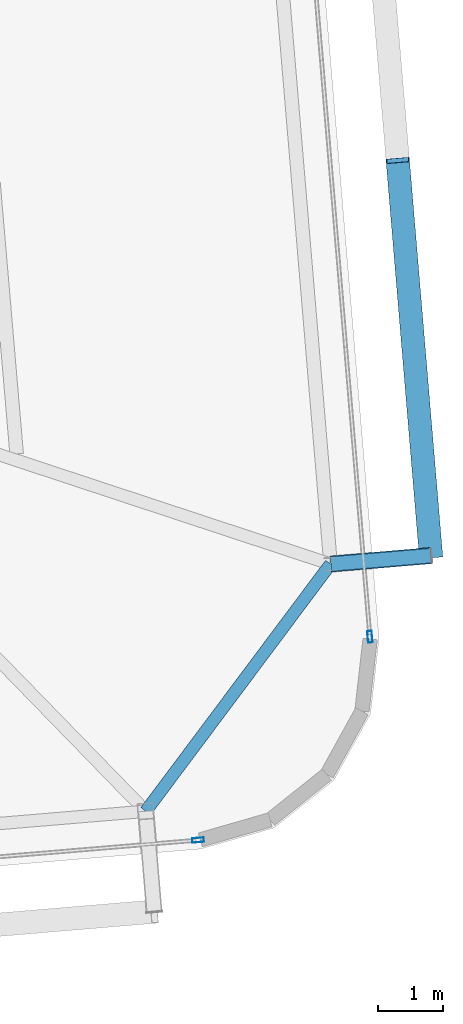
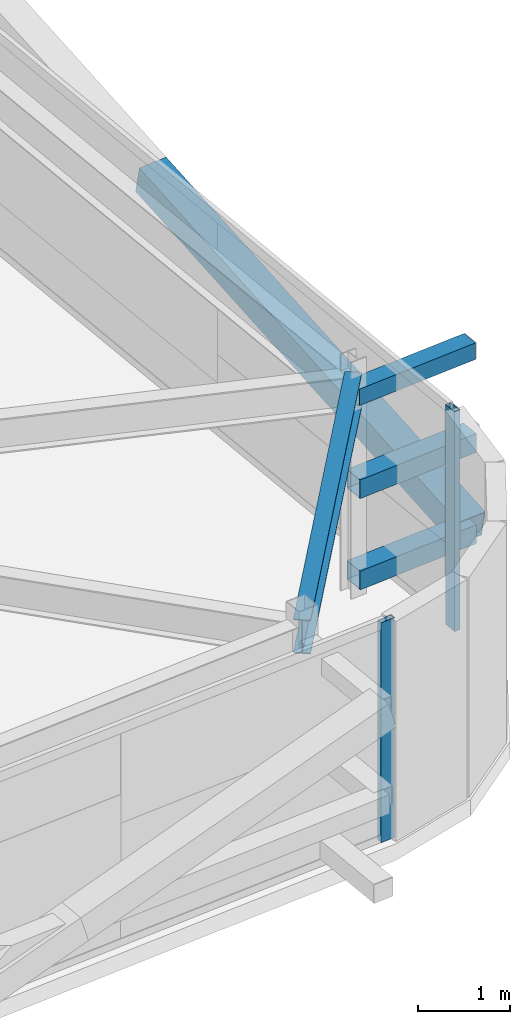
# One storey, part 18 of 39: 6 members, 1 beam, 2 elements without a shape of their own.
"""IFC4 building model written with IfcOpenShell, lengths in metres."""

import ifcopenshell
import ifcopenshell.guid

model = None  # the IFC model being written
_history = None  # IfcOwnerHistory: only IFC2X3 demands one
_inside = {}  # id of a spatial element -> (the spatial element, [elements in it])
_under = {}  # id of a project, library or spatial element -> (it, [spatial elements below it])
_declared = {}  # id of a project -> (the project, [libraries it declares])
_typed = {}  # id of a type object -> (the type object, [elements of that type])
_made_of = {}  # id of a material, layer set ... -> (it, [elements and type objects made of it])


def new_model(schema):
    """Start an empty IFC model of exactly this schema.

    Asked for "IFC4X3", IfcOpenShell would pick the latest addendum, in which some entities
    have other attributes; the version numbers below select the first issue.
    IFC2X3 requires an IfcOwnerHistory on every rooted entity: one is made here for all.
    """
    global model, _history
    if schema == "IFC4X3":
        model = ifcopenshell.file(schema_version=(4, 3, 0, 0))
    else:
        model = ifcopenshell.file(schema=schema)
    _inside.clear()
    _under.clear()
    _declared.clear()
    _typed.clear()
    _made_of.clear()
    _history = None
    if model.schema == "IFC2X3":
        org = make("IfcOrganization", Name="unknown")
        user = make(
            "IfcPersonAndOrganization",
            ThePerson=make("IfcPerson", FamilyName="unknown"),
            TheOrganization=org,
        )
        app = make(
            "IfcApplication",
            ApplicationDeveloper=org,
            Version="unknown",
            ApplicationFullName="unknown",
            ApplicationIdentifier="unknown",
        )
        _history = make(
            "IfcOwnerHistory",
            OwningUser=user,
            OwningApplication=app,
            ChangeAction="ADDED",
            CreationDate=0,
        )
    return model


def make(cls, **values):
    """One entity of the class cls with the attributes given. An attribute that is None is left unset."""
    return model.create_entity(
        cls, **{name: value for name, value in values.items() if value is not None}
    )


def rooted(cls, **values):
    """An entity with a GlobalId (a new one), such as an element, a storey or a relation."""
    return make(cls, GlobalId=ifcopenshell.guid.new(), OwnerHistory=_history, **values)


def si_unit(unit_type, name, prefix=None):
    """IfcSIUnit, for example si_unit("LENGTHUNIT", "METRE", prefix="MILLI")."""
    return make("IfcSIUnit", UnitType=unit_type, Prefix=prefix, Name=name)


def assignment(units):
    """IfcUnitAssignment: the units of a project."""
    return None if units is None else make("IfcUnitAssignment", Units=units)


def point(xyz):
    """IfcCartesianPoint."""
    return None if xyz is None else make("IfcCartesianPoint", Coordinates=xyz)


def direction(xyz):
    """IfcDirection."""
    return None if xyz is None else make("IfcDirection", DirectionRatios=xyz)


def frame(location, z_axis=None, x_axis=None):
    """IfcAxis2Placement3D, a coordinate frame: its origin and axes. An axis left out is left unset."""
    return make(
        "IfcAxis2Placement3D",
        Location=point(location),
        Axis=direction(z_axis),
        RefDirection=direction(x_axis),
    )


def frame_2d(location, x_axis=None):
    """IfcAxis2Placement2D, a coordinate frame in the plane: its origin and x axis."""
    return make(
        "IfcAxis2Placement2D", Location=point(location), RefDirection=direction(x_axis)
    )


def origin():
    """The frame at (0, 0, 0) with its axes left unset."""
    return frame((0.0, 0.0, 0.0))


def origin_2d():
    """The frame at (0, 0) in the plane with its x axis left unset."""
    return frame_2d((0.0, 0.0))


def place(relative_to, where):
    """IfcLocalPlacement: puts the frame where relative to a parent placement (None: the world)."""
    return make(
        "IfcLocalPlacement", PlacementRelTo=relative_to, RelativePlacement=where
    )


def context(
    kind, dimensions, precision=None, world=None, true_north=None, identifier=None
):
    """IfcGeometricRepresentationContext, for example the 3D "Model" context."""
    return make(
        "IfcGeometricRepresentationContext",
        ContextIdentifier=identifier,
        ContextType=kind,
        CoordinateSpaceDimension=dimensions,
        Precision=precision,
        WorldCoordinateSystem=world,
        TrueNorth=true_north,
    )


def subcontext(parent, identifier, kind, view, scale=None):
    """IfcGeometricRepresentationSubContext, for example "Body" below "Model"."""
    return make(
        "IfcGeometricRepresentationSubContext",
        ContextIdentifier=identifier,
        ContextType=kind,
        ParentContext=parent,
        TargetScale=scale,
        TargetView=view,
    )


def project(units=None, contexts=None):
    """IfcProject with its units and contexts."""
    return rooted(
        "IfcProject",
        Name="project",
        RepresentationContexts=contexts,
        UnitsInContext=assignment(units),
    )


def spatial(cls, under=None, at=None, **own):
    """A site, building, storey or space (cls), placed at a placement, below another one or the project."""
    s = rooted(cls, ObjectPlacement=at, **own)
    if under is not None:
        _under.setdefault(under.id(), (under, []))[1].append(s)
    return s


def profile(cls, at=None, kind="AREA", **sizes):
    """A parametric profile (cls). Its sizes go by their IFC names, for example OverallWidth=200.0."""
    return make(cls, ProfileType=kind, Position=at, **sizes)


def hollow_rectangle(**sizes):
    """IfcRectangleHollowProfileDef."""
    return profile("IfcRectangleHollowProfileDef", **sizes)


def i_section(**sizes):
    """IfcIShapeProfileDef."""
    return profile("IfcIShapeProfileDef", **sizes)


def extrude(swept, where, along, depth):
    """IfcExtrudedAreaSolid: the profile swept, set in the frame where, extruded along a direction by depth."""
    return make(
        "IfcExtrudedAreaSolid",
        SweptArea=swept,
        Position=where,
        ExtrudedDirection=direction(along),
        Depth=depth,
    )


def shape(context_of_items, identifier, shape_type, items):
    """IfcShapeRepresentation: the items that make up one representation, for example the "Body"."""
    return make(
        "IfcShapeRepresentation",
        ContextOfItems=context_of_items,
        RepresentationIdentifier=identifier,
        RepresentationType=shape_type,
        Items=items,
    )


def source(mapping_origin, context_of_items, identifier, shape_type, items):
    """IfcRepresentationMap: a shape defined once, which mapped items show again and again."""
    return make(
        "IfcRepresentationMap",
        MappingOrigin=mapping_origin,
        MappedRepresentation=shape(context_of_items, identifier, shape_type, items),
    )


def transform(
    local_origin,
    x_axis=None,
    y_axis=None,
    z_axis=None,
    scale=None,
    scale2=None,
    scale3=None,
    uniform=True,
):
    """IfcCartesianTransformationOperator3D, or its non-uniform kind. x_axis, y_axis, z_axis: its Axis1, 2, 3."""
    if uniform:
        return make(
            "IfcCartesianTransformationOperator3D",
            Axis1=direction(x_axis),
            Axis2=direction(y_axis),
            LocalOrigin=point(local_origin),
            Scale=scale,
            Axis3=direction(z_axis),
        )
    return make(
        "IfcCartesianTransformationOperator3DnonUniform",
        Axis1=direction(x_axis),
        Axis2=direction(y_axis),
        LocalOrigin=point(local_origin),
        Scale=scale,
        Axis3=direction(z_axis),
        Scale2=scale2,
        Scale3=scale3,
    )


def mapped(mapping_source, mapping_target):
    """IfcMappedItem: shows the shape of a source again, moved by a transform."""
    return make(
        "IfcMappedItem", MappingSource=mapping_source, MappingTarget=mapping_target
    )


def material(Name=None, Category=None):
    """IfcMaterial."""
    return make("IfcMaterial", Name=Name, Category=Category)


def layer(
    of_material, thickness, ventilated=None, Name=None, Category=None, Priority=None
):
    """IfcMaterialLayer: one layer of a wall or slab, of a material (None: an air gap)."""
    return make(
        "IfcMaterialLayer",
        Material=of_material,
        LayerThickness=thickness,
        IsVentilated=ventilated,
        Name=Name,
        Category=Category,
        Priority=Priority,
    )


def layer_set(layers, Name=None):
    """IfcMaterialLayerSet."""
    return make("IfcMaterialLayerSet", MaterialLayers=layers, LayerSetName=Name)


def material_profile(
    of_material, cross_section, Name=None, Category=None, Priority=None
):
    """IfcMaterialProfile: a cross section and its material."""
    return make(
        "IfcMaterialProfile",
        Name=Name,
        Material=of_material,
        Profile=cross_section,
        Priority=Priority,
        Category=Category,
    )


def profile_set(profiles, Name=None, composite=None):
    """IfcMaterialProfileSet."""
    return make(
        "IfcMaterialProfileSet",
        Name=Name,
        MaterialProfiles=profiles,
        CompositeProfile=composite,
    )


def made_of(thing, what):
    """Note that an element or type object is made of a material, layer set ...; save() writes the relation."""
    if what is not None:
        _made_of.setdefault(what.id(), (what, []))[1].append(thing)
    return thing


def type_object(cls, material=None, **own):
    """A type object (cls), such as IfcWallType, which elements share."""
    return made_of(rooted(cls, **own), material)


def element(
    cls,
    number,
    at=None,
    inside=None,
    cuts=None,
    type_object=None,
    material=None,
    context=None,
    identifier="Body",
    shape_type=None,
    held_by="IfcProductDefinitionShape",
    body=None,
    shapes=None,
    **own,
):
    """One element of the class cls, such as IfcWall. Its Tag is "e" and its number.

    at: its placement. inside: the storey or other place that contains it. cuts: it is an
    opening in that element (IfcRelVoidsElement). A single representation is given by context,
    identifier, shape_type and body (its items); several are given by shapes. held_by: the class
    of the entity that holds the representations. save() writes the other relations.
    """
    e = rooted(cls, Tag="e%d" % number, ObjectPlacement=at, **own)
    if body is not None:
        shapes = [shape(context, identifier, shape_type, body)]
    if shapes is not None:
        e.Representation = make(held_by, Representations=shapes)
    if inside is not None:
        _inside.setdefault(inside.id(), (inside, []))[1].append(e)
    if cuts is not None:
        rooted(
            "IfcRelVoidsElement", RelatingBuildingElement=cuts, RelatedOpeningElement=e
        )
    if type_object is not None:
        _typed.setdefault(type_object.id(), (type_object, []))[1].append(e)
    return made_of(e, material)


def aggregate(whole, parts):
    """IfcRelAggregates: a whole, such as a stair, and the parts it consists of."""
    return rooted("IfcRelAggregates", RelatingObject=whole, RelatedObjects=parts)


def save(model, path):
    """Write the relations noted so far, then the file.

    IfcRelAggregates (storeys below a building ...), IfcRelContainedInSpatialStructure (elements
    in a storey), IfcRelDefinesByType, IfcRelAssociatesMaterial and IfcRelDeclares: one each for
    every whole, place, type object, material and project.
    """
    for whole, parts in _under.values():
        aggregate(whole, parts)
    for where, things in _inside.values():
        rooted(
            "IfcRelContainedInSpatialStructure",
            RelatedElements=things,
            RelatingStructure=where,
        )
    for kind, things in _typed.values():
        rooted("IfcRelDefinesByType", RelatedObjects=things, RelatingType=kind)
    for what, things in _made_of.values():
        rooted("IfcRelAssociatesMaterial", RelatedObjects=things, RelatingMaterial=what)
    for by, libraries in _declared.values():
        rooted("IfcRelDeclares", RelatingContext=by, RelatedDefinitions=libraries)
    model.write(path)


model = new_model("IFC4")

# Units and contexts
model_context = context("Model", 3, precision=1e-05, world=origin(), true_north=direction((0.0, 1.0)))
body_context = subcontext(model_context, "Body", "Model", "MODEL_VIEW")
ifc_project = project(units=[si_unit("LENGTHUNIT", "METRE"), si_unit("AREAUNIT", "SQUARE_METRE"), si_unit("VOLUMEUNIT", "CUBIC_METRE"), si_unit("PLANEANGLEUNIT", "RADIAN"), si_unit("MASSUNIT", "GRAM", prefix="KILO")], contexts=[model_context])

# Site, building, storey
site_placement = place(None, origin())
site = spatial("IfcSite", under=ifc_project, at=site_placement, CompositionType="ELEMENT")
building_placement = place(site_placement, origin())
building = spatial("IfcBuilding", under=site, at=building_placement, Name="Taldren Reach Tower", CompositionType="ELEMENT")
storey_placement = place(building_placement, frame((0.0, 0.0, 197.75)))
storey = spatial("IfcBuildingStorey", under=building, at=storey_placement, Name="L60", CompositionType="ELEMENT", Elevation=197.75)

# Beam
ifc_material_1 = material(Name="Steel Gr 350 (350PLUS)", Category="steel")
ifc_material_profile_1 = material_profile(ifc_material_1, i_section(OverallWidth=0.18994140625, OverallDepth=0.4541015625, WebThickness=0.008544921875, FlangeThickness=0.0126953125, at=origin_2d()), Name="460UB67.1")
ifc_profile_set_1 = profile_set([ifc_material_profile_1], Name="Steel Gr 350 (350PLUS)")
beam_type = type_object("IfcBeamType", Name="SP-UB460B", PredefinedType="SPANDREL", material=ifc_profile_set_1)
shared_shape_1 = source(origin(), body_context, "Body", "SweptSolid", [
    extrude(i_section(OverallWidth=0.18994140625, OverallDepth=0.4541015625, WebThickness=0.008544921875, FlangeThickness=0.0126953125, at=origin_2d()), origin(), (0.0, 0.0, 1.0), 4.746337890625),
])
beam_placement = place(storey_placement, frame((58.796142578125, 5.516357421875, 2.702880859375), z_axis=(0.598797715541, 0.800900303323, 0.0), x_axis=(-0.800900303323, 0.598797715541, 0.0)))
element("IfcBeam", 1, at=beam_placement, inside=storey, type_object=beam_type, Name="Perimeter spandrel B4 S6-E1 L60", PredefinedType="SPANDREL", context=body_context, shape_type="MappedRepresentation", body=[
    mapped(shared_shape_1, transform((0.0, 0.0, 0.0), scale=1.0)),
])

# Members
ifc_material_2 = material(Name="Steel Gr 450 (C450L0)", Category="steel")
ifc_material_profile_2 = material_profile(ifc_material_2, hollow_rectangle(XDim=0.219970703125, YDim=0.219970703125, WallThickness=0.00830078125, at=origin_2d()), Name="220x220x8.2SHS")
ifc_profile_set_2 = profile_set([ifc_material_profile_2], Name="Steel Gr 450 (C450L0)")
member_type_1 = type_object("IfcMemberType", Name="MB-TIE219", PredefinedType="STRUT", material=ifc_profile_set_2)
shared_shape_2 = source(origin(), body_context, "Body", "SweptSolid", [
    extrude(hollow_rectangle(XDim=0.219970703125, YDim=0.219970703125, WallThickness=0.00830078125, at=origin_2d()), origin(), (0.0, 0.0, 1.0), 1.545166015625),
])
member_1_placement = place(storey_placement, frame((61.642822265625, 9.31787109375, 2.64990234375), z_axis=(0.996487766615, 0.083738467783, 0.0), x_axis=(-0.083738467783, 0.996487766615, 0.0)))
element("IfcMember", 2, at=member_1_placement, inside=storey, type_object=member_type_1, Name="Exoskeleton diaphragm tie strut B4-E1 L60", PredefinedType="STRUT", context=body_context, shape_type="MappedRepresentation", body=[
    mapped(shared_shape_2, transform((0.0, 0.0, 0.0), scale=1.0)),
])
ifc_material_3 = material(Name="Steel Gr 350 (C350L0)", Category="steel")
ifc_material_profile_3 = material_profile(ifc_material_3, hollow_rectangle(XDim=0.25, YDim=0.25, WallThickness=0.010009765625, at=origin_2d()), Name="250x250x10.0SHS")
ifc_profile_set_3 = profile_set([ifc_material_profile_3], Name="Steel Gr 350 (C350L0)")
member_type_2 = type_object("IfcMemberType", Name="MB-POST250", PredefinedType="POST", material=ifc_profile_set_3)
shared_shape_3 = source(origin(), body_context, "Body", "SweptSolid", [
    extrude(hollow_rectangle(XDim=0.25, YDim=0.25, WallThickness=0.010009765625, at=origin_2d()), origin(), (0.0, 0.0, 1.0), 1.545166015625),
])
for number, where, z_axis, x_axis, name in (
    (3, (61.642822265625, 9.31787109375, 0.219970703125), (0.996487766615, 0.083738467783, 0.0), (-0.083738467783, 0.996487766615, 0.0), "Exoskeleton base diaphragm tie strut B4-E1 L60"),
    (4, (61.642822265625, 9.31787109375, 1.43505859375), (0.996487766615, 0.083738467783, 0.0), (-0.083738467783, 0.996487766615, 0.0), "Exoskeleton mid-tier diaphragm tie B4-E1 L60"),
):
    element("IfcMember", number, at=place(storey_placement, frame(where, z_axis=z_axis, x_axis=x_axis)), inside=storey, type_object=member_type_2, Name=name, PredefinedType="POST", context=body_context, shape_type="MappedRepresentation", body=[
        mapped(shared_shape_3, transform((0.0, 0.0, 0.0), scale=1.0)),
    ])
ifc_material_profile_4 = material_profile(ifc_material_2, hollow_rectangle(XDim=0.360107421875, YDim=0.360107421875, WallThickness=0.0126953125, at=origin_2d()), Name="360x360x12.7SHS")
ifc_profile_set_4 = profile_set([ifc_material_profile_4], Name="Steel Gr 450 (C450L0)")
member_type_3 = type_object("IfcMemberType", Name="MB-EXO356", PredefinedType="BRACE", material=ifc_profile_set_4)
shared_shape_4 = source(origin(), body_context, "Body", "SweptSolid", [
    extrude(hollow_rectangle(XDim=0.360107421875, YDim=0.360107421875, WallThickness=0.0126953125, at=origin_2d()), origin(), (0.0, 0.0, 1.0), 6.219970703125),
])
member_2_placement = place(storey_placement, frame((63.1826171875, 9.447265625, 0.219970703125), z_axis=(-0.082075564879, 0.977291924611, 0.195356330179), x_axis=(-0.996492003099, -0.083688038336, 0.0)))
element("IfcMember", 5, at=member_2_placement, inside=storey, type_object=member_type_3, Name="Exoskeleton Diagrid Brace B4-E1 L60", PredefinedType="BRACE", context=body_context, shape_type="MappedRepresentation", body=[
    mapped(shared_shape_4, transform((0.0, 0.0, 0.0), scale=1.0)),
])

# Curtain wall, member
ifc_material_4 = material(Name="Aluminium and Low-E Glass Unitised System", Category="aluminium")
ifc_layer = layer(ifc_material_4, 0.159912109375)
ifc_layer_set = layer_set([ifc_layer], Name="Aluminium and Low-E Glass Unitised System")
curtain_wall_type = type_object("IfcCurtainWallType", Name="CW-SYS-5", PredefinedType="NOTDEFINED", material=ifc_layer_set)
curtain_wall_1_placement = place(storey_placement, origin())
curtain_wall_1 = element("IfcCurtainWall", 6, at=curtain_wall_1_placement, inside=storey, type_object=curtain_wall_type, Name="Unitised curtain wall CW-L60-S", PredefinedType="NOTDEFINED")
ifc_material_5 = material(Name="Anodised Aluminium 6063-T6", Category="aluminium")
ifc_material_profile_5 = material_profile(ifc_material_5, hollow_rectangle(XDim=0.070068359375, YDim=0.179931640625, WallThickness=0.00390625, at=origin_2d()), Name="ALU-180x70x4RHS")
ifc_profile_set_5 = profile_set([ifc_material_profile_5], Name="Anodised Aluminium 6063-T6")
member_type_4 = type_object("IfcMemberType", Name="CW-MUL-180", PredefinedType="MULLION", material=ifc_profile_set_5)
shared_shape_5 = source(origin(), body_context, "Body", "SweptSolid", [
    extrude(hollow_rectangle(XDim=0.070068359375, YDim=0.179931640625, WallThickness=0.00390625, at=origin_2d()), origin(), (0.0, 0.0, 1.0), 2.929931640625),
])
member_3_placement = place(storey_placement, frame((59.60107421875, 5.072265625, 0.0), z_axis=(0.0, 0.0, 1.0), x_axis=(-0.083677894865, 0.996492854922, 0.0)))
member_3 = element("IfcMember", 7, at=member_3_placement, type_object=member_type_4, Name="CW-5 mullion 5", PredefinedType="MULLION", context=body_context, shape_type="MappedRepresentation", body=[
    mapped(shared_shape_5, transform((0.0, 0.0, 0.0), scale=1.0)),
])
aggregate(curtain_wall_1, [member_3])

curtain_wall_2_placement = place(storey_placement, origin())
curtain_wall_2 = element("IfcCurtainWall", 8, at=curtain_wall_2_placement, inside=storey, type_object=curtain_wall_type, Name="Unitised curtain wall CW-L60-E", PredefinedType="NOTDEFINED")
member_4_placement = place(storey_placement, frame((62.243896484375, 8.199462890625, 0.0), z_axis=(0.0, 0.0, 1.0), x_axis=(-0.996492847789, -0.083677979808, 0.0)))
member_4 = element("IfcMember", 9, at=member_4_placement, type_object=member_type_4, Name="CW-5 mullion 1", PredefinedType="MULLION", context=body_context, shape_type="MappedRepresentation", body=[
    mapped(shared_shape_5, transform((0.0, 0.0, 0.0), scale=1.0)),
])
aggregate(curtain_wall_2, [member_4])

save(model, "model.ifc")
